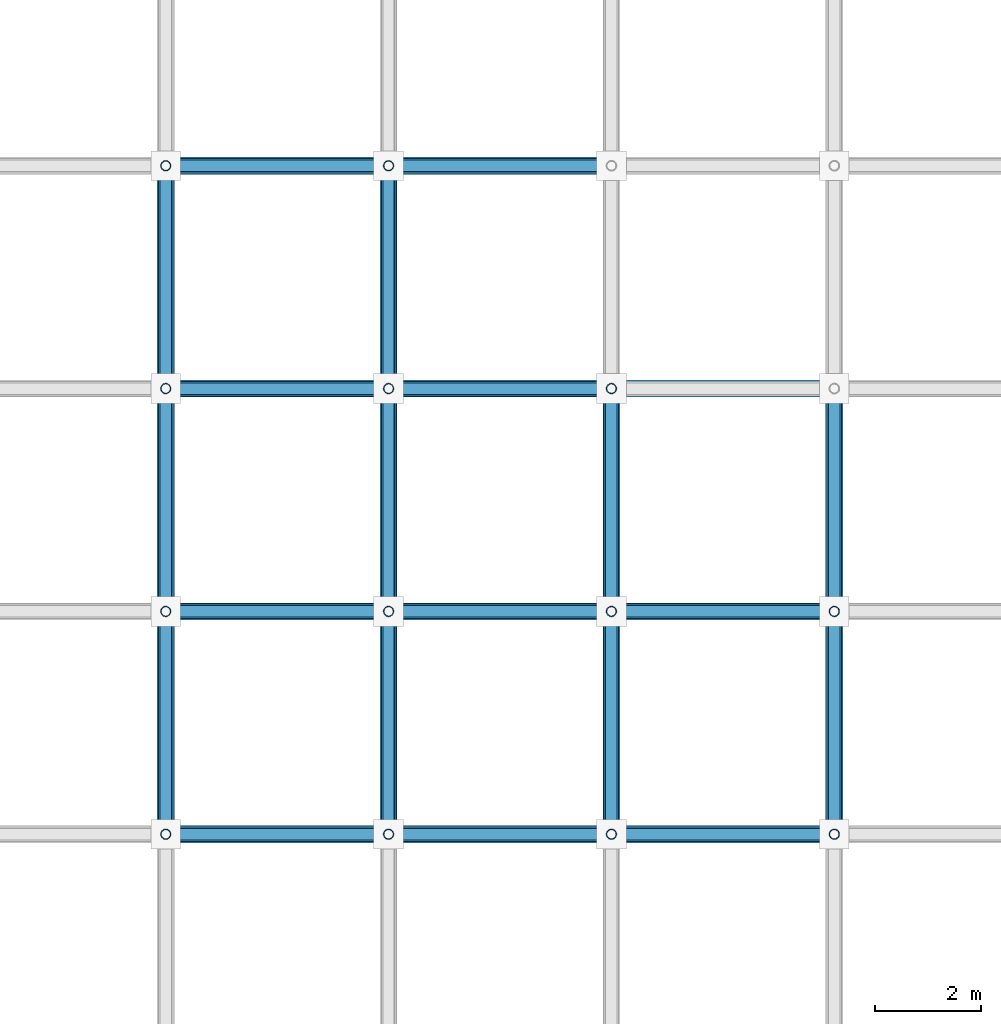
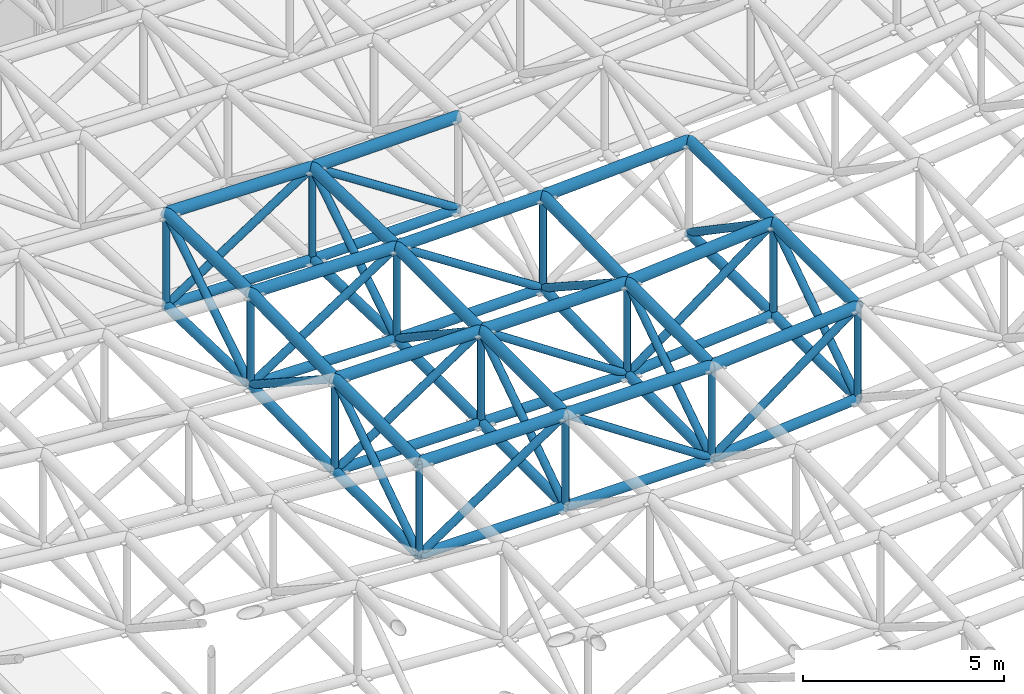
# One storey, part 31 of 93: 74 members.
"""IFC4 building model written with IfcOpenShell, lengths in metres."""

from ifc_helpers import new_model, si_unit, direction, frame, origin, origin_2d, place, context, subcontext, project, spatial, hollow_circle, extrude, material, material_profile, profile_set, type_object, element, save


model = new_model("IFC4")

# Units and contexts
model_context = context("Model", 3, precision=1e-05, world=origin(), true_north=direction((0.0, 1.0)))
body_context = subcontext(model_context, "Body", "Model", "MODEL_VIEW")
ifc_project = project(units=[si_unit("LENGTHUNIT", "METRE"), si_unit("AREAUNIT", "SQUARE_METRE"), si_unit("VOLUMEUNIT", "CUBIC_METRE"), si_unit("PLANEANGLEUNIT", "RADIAN"), si_unit("MASSUNIT", "GRAM", prefix="KILO")], contexts=[model_context])

# Site, building, storey
site_placement = place(None, origin())
site = spatial("IfcSite", under=ifc_project, at=site_placement, CompositionType="ELEMENT")
building_placement = place(site_placement, origin())
building = spatial("IfcBuilding", under=site, at=building_placement, Name="Cumbredor Promenade Congress Hotel", CompositionType="ELEMENT")
storey_placement = place(building_placement, frame((0.0, 0.0, 21.840087890625)))
storey = spatial("IfcBuildingStorey", under=building, at=storey_placement, Name="L06", CompositionType="ELEMENT", Elevation=21.840087890625)

# Members
ifc_material = material(Name="Steel ASTM A500 Grade C", Category="steel")
ifc_material_profile_1 = material_profile(ifc_material, hollow_circle(Radius=0.136474609375, WallThickness=0.01611328125, at=origin_2d()), Name="CHS 273.0x16")
ifc_profile_set_1 = profile_set([ifc_material_profile_1], Name="Steel ASTM A500 Grade C")
member_type_1 = type_object("IfcMemberType", Name="Plenary Roof Space Frame Bottom Chord", PredefinedType="CHORD", material=ifc_profile_set_1)
member_1_placement = place(storey_placement, frame((29.39990234375, 33.60009765625, 7.864501953125), z_axis=(0.999999984796, 0.0, 0.000174378049), x_axis=(0.0, 1.0, 0.0)))
element("IfcMember", 1, at=member_1_placement, inside=storey, type_object=member_type_1, Name="Plenary Congress Hall X Bottom Chord 9.9", PredefinedType="CHORD", context=body_context, shape_type="SweptSolid", body=[
    extrude(hollow_circle(Radius=0.136474609375, WallThickness=0.01611328125, at=origin_2d()), origin(), (0.0, 0.0, 1.0), 4.2001953125),
])
member_2_placement = place(storey_placement, frame((33.60009765625, 33.60009765625, 7.865234375), z_axis=(0.999999984794, 0.0, -0.000174388185), x_axis=(0.0, 1.0, 0.0)))
element("IfcMember", 2, at=member_2_placement, inside=storey, type_object=member_type_1, Name="Plenary Congress Hall X Bottom Chord 10.9", PredefinedType="CHORD", context=body_context, shape_type="SweptSolid", body=[
    extrude(hollow_circle(Radius=0.136474609375, WallThickness=0.01611328125, at=origin_2d()), origin(), (0.0, 0.0, 1.0), 4.199951171875),
])
member_3_placement = place(storey_placement, frame((37.800048828125, 33.60009765625, 7.864501953125), z_axis=(0.99676088426, 0.0, 0.080422258173), x_axis=(0.0, 1.0, 0.0)))
element("IfcMember", 3, at=member_3_placement, inside=storey, type_object=member_type_1, Name="Plenary Congress Hall X Bottom Chord 11.9", PredefinedType="CHORD", context=body_context, shape_type="SweptSolid", body=[
    extrude(hollow_circle(Radius=0.136474609375, WallThickness=0.01611328125, at=origin_2d()), origin(), (0.0, 0.0, 1.0), 4.213623046875),
])
member_4_placement = place(storey_placement, frame((29.39990234375, 37.800048828125, 7.864501953125), z_axis=(0.999999984796, 0.0, 0.000174378049), x_axis=(0.0, 1.0, 0.0)))
element("IfcMember", 4, at=member_4_placement, inside=storey, type_object=member_type_1, Name="Plenary Congress Hall X Bottom Chord 9.10", PredefinedType="CHORD", context=body_context, shape_type="SweptSolid", body=[
    extrude(hollow_circle(Radius=0.136474609375, WallThickness=0.01611328125, at=origin_2d()), origin(), (0.0, 0.0, 1.0), 4.2001953125),
])
member_5_placement = place(storey_placement, frame((33.60009765625, 37.800048828125, 7.865234375), z_axis=(0.999999984794, 0.0, -0.000174388185), x_axis=(0.0, 1.0, 0.0)))
element("IfcMember", 5, at=member_5_placement, inside=storey, type_object=member_type_1, Name="Plenary Congress Hall X Bottom Chord 10.10", PredefinedType="CHORD", context=body_context, shape_type="SweptSolid", body=[
    extrude(hollow_circle(Radius=0.136474609375, WallThickness=0.01611328125, at=origin_2d()), origin(), (0.0, 0.0, 1.0), 4.199951171875),
])
member_6_placement = place(storey_placement, frame((37.800048828125, 37.800048828125, 7.864501953125), z_axis=(0.99676088426, 0.0, 0.080422258173), x_axis=(0.0, 1.0, 0.0)))
element("IfcMember", 6, at=member_6_placement, inside=storey, type_object=member_type_1, Name="Plenary Congress Hall X Bottom Chord 11.10", PredefinedType="CHORD", context=body_context, shape_type="SweptSolid", body=[
    extrude(hollow_circle(Radius=0.136474609375, WallThickness=0.01611328125, at=origin_2d()), origin(), (0.0, 0.0, 1.0), 4.213623046875),
])
member_7_placement = place(storey_placement, frame((29.39990234375, 42.0, 7.934814453125), z_axis=(0.999861849265, 0.0, -0.016621744297), x_axis=(0.0, 1.0, 0.0)))
element("IfcMember", 7, at=member_7_placement, inside=storey, type_object=member_type_1, Name="Plenary Congress Hall X Bottom Chord 9.11", PredefinedType="CHORD", context=body_context, shape_type="SweptSolid", body=[
    extrude(hollow_circle(Radius=0.136474609375, WallThickness=0.01611328125, at=origin_2d()), origin(), (0.0, 0.0, 1.0), 4.20068359375),
])
member_8_placement = place(storey_placement, frame((33.60009765625, 42.0, 7.864990234375), z_axis=(0.999861833207, 0.0, 0.016622710242), x_axis=(0.0, 1.0, 0.0)))
element("IfcMember", 8, at=member_8_placement, inside=storey, type_object=member_type_1, Name="Plenary Congress Hall X Bottom Chord 10.11", PredefinedType="CHORD", context=body_context, shape_type="SweptSolid", body=[
    extrude(hollow_circle(Radius=0.136474609375, WallThickness=0.01611328125, at=origin_2d()), origin(), (0.0, 0.0, 1.0), 4.200439453125),
])
member_9_placement = place(storey_placement, frame((29.39990234375, 46.199951171875, 7.80615234375), z_axis=(0.999843916636, 0.0, -0.017667551189), x_axis=(0.0, 1.0, 0.0)))
element("IfcMember", 9, at=member_9_placement, inside=storey, type_object=member_type_1, Name="Plenary Congress Hall X Bottom Chord 9.12", PredefinedType="CHORD", context=body_context, shape_type="SweptSolid", body=[
    extrude(hollow_circle(Radius=0.136474609375, WallThickness=0.01611328125, at=origin_2d()), origin(), (0.0, 0.0, 1.0), 4.200927734375),
])
member_10_placement = place(storey_placement, frame((33.60009765625, 46.199951171875, 7.73193359375), z_axis=(0.999843898494, 0.0, 0.017668577873), x_axis=(0.0, 1.0, 0.0)))
element("IfcMember", 10, at=member_10_placement, inside=storey, type_object=member_type_1, Name="Plenary Congress Hall X Bottom Chord 10.12", PredefinedType="CHORD", context=body_context, shape_type="SweptSolid", body=[
    extrude(hollow_circle(Radius=0.136474609375, WallThickness=0.01611328125, at=origin_2d()), origin(), (0.0, 0.0, 1.0), 4.20068359375),
])
member_11_placement = place(storey_placement, frame((29.39990234375, 33.60009765625, 7.864501953125), z_axis=(0.0, 1.0, 0.0), x_axis=(-1.0, 0.0, 0.0)))
element("IfcMember", 11, at=member_11_placement, inside=storey, type_object=member_type_1, Name="Plenary Congress Hall Y Bottom Chord 9.9", PredefinedType="CHORD", context=body_context, shape_type="SweptSolid", body=[
    extrude(hollow_circle(Radius=0.136474609375, WallThickness=0.01611328125, at=origin_2d()), origin(), (0.0, 0.0, 1.0), 4.199951171875),
])
member_12_placement = place(storey_placement, frame((29.39990234375, 37.800048828125, 7.864501953125), z_axis=(0.0, 0.999859894455, 0.016738920514), x_axis=(-1.0, 0.0, 0.0)))
element("IfcMember", 12, at=member_12_placement, inside=storey, type_object=member_type_1, Name="Plenary Congress Hall Y Bottom Chord 9.10", PredefinedType="CHORD", context=body_context, shape_type="SweptSolid", body=[
    extrude(hollow_circle(Radius=0.136474609375, WallThickness=0.01611328125, at=origin_2d()), origin(), (0.0, 0.0, 1.0), 4.200439453125),
])
member_13_placement = place(storey_placement, frame((29.39990234375, 42.0, 7.934814453125), z_axis=(0.0, 0.999531103152, -0.030619827435), x_axis=(-1.0, 0.0, 0.0)))
element("IfcMember", 13, at=member_13_placement, inside=storey, type_object=member_type_1, Name="Plenary Congress Hall Y Bottom Chord 9.11", PredefinedType="CHORD", context=body_context, shape_type="SweptSolid", body=[
    extrude(hollow_circle(Radius=0.136474609375, WallThickness=0.01611328125, at=origin_2d()), origin(), (0.0, 0.0, 1.0), 4.201904296875),
])
for number, where, z_axis, x_axis, name in (
    (14, (33.60009765625, 33.60009765625, 7.865234375), (0.0, 1.0, 0.0), (-1.0, 0.0, 0.0), "Plenary Congress Hall Y Bottom Chord 10.9"),
    (15, (33.60009765625, 37.800048828125, 7.865234375), (0.0, 0.99999999831, -5.8129396e-05), (-1.0, 0.0, 0.0), "Plenary Congress Hall Y Bottom Chord 10.10"),
):
    element("IfcMember", number, at=place(storey_placement, frame(where, z_axis=z_axis, x_axis=x_axis)), inside=storey, type_object=member_type_1, Name=name, PredefinedType="CHORD", context=body_context, shape_type="SweptSolid", body=[
        extrude(hollow_circle(Radius=0.136474609375, WallThickness=0.01611328125, at=origin_2d()), origin(), (0.0, 0.0, 1.0), 4.199951171875),
    ])
member_14_placement = place(storey_placement, frame((33.60009765625, 42.0, 7.864990234375), z_axis=(0.0, 0.999498549731, -0.031664634634), x_axis=(-1.0, 0.0, 0.0)))
element("IfcMember", 16, at=member_14_placement, inside=storey, type_object=member_type_1, Name="Plenary Congress Hall Y Bottom Chord 10.11", PredefinedType="CHORD", context=body_context, shape_type="SweptSolid", body=[
    extrude(hollow_circle(Radius=0.136474609375, WallThickness=0.01611328125, at=origin_2d()), origin(), (0.0, 0.0, 1.0), 4.2021484375),
])
member_15_placement = place(storey_placement, frame((37.800048828125, 33.60009765625, 7.864501953125), z_axis=(0.0, 1.0, 0.0), x_axis=(-1.0, 0.0, 0.0)))
element("IfcMember", 17, at=member_15_placement, inside=storey, type_object=member_type_1, Name="Plenary Congress Hall Y Bottom Chord 11.9", PredefinedType="CHORD", context=body_context, shape_type="SweptSolid", body=[
    extrude(hollow_circle(Radius=0.136474609375, WallThickness=0.01611328125, at=origin_2d()), origin(), (0.0, 0.0, 1.0), 4.199951171875),
])
member_16_placement = place(storey_placement, frame((37.800048828125, 37.800048828125, 7.864501953125), z_axis=(0.0, 0.999859894455, 0.016738920514), x_axis=(-1.0, 0.0, 0.0)))
element("IfcMember", 18, at=member_16_placement, inside=storey, type_object=member_type_1, Name="Plenary Congress Hall Y Bottom Chord 11.10", PredefinedType="CHORD", context=body_context, shape_type="SweptSolid", body=[
    extrude(hollow_circle(Radius=0.136474609375, WallThickness=0.01611328125, at=origin_2d()), origin(), (0.0, 0.0, 1.0), 4.200439453125),
])
member_17_placement = place(storey_placement, frame((42.0, 33.60009765625, 8.203369140625), z_axis=(0.0, 1.0, 0.0), x_axis=(-1.0, 0.0, 0.0)))
element("IfcMember", 19, at=member_17_placement, inside=storey, type_object=member_type_1, Name="Plenary Congress Hall Y Bottom Chord 12.9", PredefinedType="CHORD", context=body_context, shape_type="SweptSolid", body=[
    extrude(hollow_circle(Radius=0.136474609375, WallThickness=0.01611328125, at=origin_2d()), origin(), (0.0, 0.0, 1.0), 4.199951171875),
])
member_18_placement = place(storey_placement, frame((42.0, 37.800048828125, 8.203369140625), z_axis=(0.0, 0.999903507276, -0.013891585086), x_axis=(-1.0, 0.0, 0.0)))
element("IfcMember", 20, at=member_18_placement, inside=storey, type_object=member_type_1, Name="Plenary Congress Hall Y Bottom Chord 12.10", PredefinedType="CHORD", context=body_context, shape_type="SweptSolid", body=[
    extrude(hollow_circle(Radius=0.136474609375, WallThickness=0.01611328125, at=origin_2d()), origin(), (0.0, 0.0, 1.0), 4.200439453125),
])
ifc_material_profile_2 = material_profile(ifc_material, hollow_circle(Radius=0.161865234375, WallThickness=0.01611328125, at=origin_2d()), Name="CHS 323.9x16")
ifc_profile_set_2 = profile_set([ifc_material_profile_2], Name="Steel ASTM A500 Grade C")
member_type_2 = type_object("IfcMemberType", Name="Plenary Roof Space Frame Top Chord", PredefinedType="CHORD", material=ifc_profile_set_2)
member_19_placement = place(storey_placement, frame((29.39990234375, 33.60009765625, 10.66455078125), z_axis=(0.999999984796, 0.0, 0.000174378049), x_axis=(0.0, 1.0, 0.0)))
element("IfcMember", 21, at=member_19_placement, inside=storey, type_object=member_type_2, Name="Plenary Congress Hall X Top Chord 9.9", PredefinedType="CHORD", context=body_context, shape_type="SweptSolid", body=[
    extrude(hollow_circle(Radius=0.161865234375, WallThickness=0.01611328125, at=origin_2d()), origin(), (0.0, 0.0, 1.0), 4.2001953125),
])
member_20_placement = place(storey_placement, frame((33.60009765625, 33.60009765625, 10.665283203125), z_axis=(0.999999984794, 0.0, -0.000174388185), x_axis=(0.0, 1.0, 0.0)))
element("IfcMember", 22, at=member_20_placement, inside=storey, type_object=member_type_2, Name="Plenary Congress Hall X Top Chord 10.9", PredefinedType="CHORD", context=body_context, shape_type="SweptSolid", body=[
    extrude(hollow_circle(Radius=0.161865234375, WallThickness=0.01611328125, at=origin_2d()), origin(), (0.0, 0.0, 1.0), 4.199951171875),
])
member_21_placement = place(storey_placement, frame((37.800048828125, 33.60009765625, 10.66455078125), z_axis=(0.99676088426, 0.0, 0.080422258173), x_axis=(0.0, 1.0, 0.0)))
element("IfcMember", 23, at=member_21_placement, inside=storey, type_object=member_type_2, Name="Plenary Congress Hall X Top Chord 11.9", PredefinedType="CHORD", context=body_context, shape_type="SweptSolid", body=[
    extrude(hollow_circle(Radius=0.161865234375, WallThickness=0.01611328125, at=origin_2d()), origin(), (0.0, 0.0, 1.0), 4.213623046875),
])
member_22_placement = place(storey_placement, frame((29.39990234375, 37.800048828125, 10.66455078125), z_axis=(0.999999984796, 0.0, 0.000174378049), x_axis=(0.0, 1.0, 0.0)))
element("IfcMember", 24, at=member_22_placement, inside=storey, type_object=member_type_2, Name="Plenary Congress Hall X Top Chord 9.10", PredefinedType="CHORD", context=body_context, shape_type="SweptSolid", body=[
    extrude(hollow_circle(Radius=0.161865234375, WallThickness=0.01611328125, at=origin_2d()), origin(), (0.0, 0.0, 1.0), 4.2001953125),
])
member_23_placement = place(storey_placement, frame((33.60009765625, 37.800048828125, 10.665283203125), z_axis=(0.999999984794, 0.0, -0.000174388185), x_axis=(0.0, 1.0, 0.0)))
element("IfcMember", 25, at=member_23_placement, inside=storey, type_object=member_type_2, Name="Plenary Congress Hall X Top Chord 10.10", PredefinedType="CHORD", context=body_context, shape_type="SweptSolid", body=[
    extrude(hollow_circle(Radius=0.161865234375, WallThickness=0.01611328125, at=origin_2d()), origin(), (0.0, 0.0, 1.0), 4.199951171875),
])
member_24_placement = place(storey_placement, frame((37.800048828125, 37.800048828125, 10.66455078125), z_axis=(0.99676088426, 0.0, 0.080422258173), x_axis=(0.0, 1.0, 0.0)))
element("IfcMember", 26, at=member_24_placement, inside=storey, type_object=member_type_2, Name="Plenary Congress Hall X Top Chord 11.10", PredefinedType="CHORD", context=body_context, shape_type="SweptSolid", body=[
    extrude(hollow_circle(Radius=0.161865234375, WallThickness=0.01611328125, at=origin_2d()), origin(), (0.0, 0.0, 1.0), 4.213623046875),
])
member_25_placement = place(storey_placement, frame((29.39990234375, 42.0, 10.73486328125), z_axis=(0.999861849265, 0.0, -0.016621744297), x_axis=(0.0, 1.0, 0.0)))
element("IfcMember", 27, at=member_25_placement, inside=storey, type_object=member_type_2, Name="Plenary Congress Hall X Top Chord 9.11", PredefinedType="CHORD", context=body_context, shape_type="SweptSolid", body=[
    extrude(hollow_circle(Radius=0.161865234375, WallThickness=0.01611328125, at=origin_2d()), origin(), (0.0, 0.0, 1.0), 4.20068359375),
])
member_26_placement = place(storey_placement, frame((33.60009765625, 42.0, 10.6650390625), z_axis=(0.999861833207, 0.0, 0.016622710242), x_axis=(0.0, 1.0, 0.0)))
element("IfcMember", 28, at=member_26_placement, inside=storey, type_object=member_type_2, Name="Plenary Congress Hall X Top Chord 10.11", PredefinedType="CHORD", context=body_context, shape_type="SweptSolid", body=[
    extrude(hollow_circle(Radius=0.161865234375, WallThickness=0.01611328125, at=origin_2d()), origin(), (0.0, 0.0, 1.0), 4.200439453125),
])
member_27_placement = place(storey_placement, frame((37.800048828125, 42.0, 10.73486328125), z_axis=(0.998749876407, 0.0, 0.049986842038), x_axis=(0.0, 1.0, 0.0)))
element("IfcMember", 29, at=member_27_placement, inside=storey, type_object=member_type_2, Name="Plenary Congress Hall X Top Chord 11.11", PredefinedType="CHORD", context=body_context, shape_type="SweptSolid", body=[
    extrude(hollow_circle(Radius=0.161865234375, WallThickness=0.01611328125, at=origin_2d()), origin(), (0.0, 0.0, 1.0), 4.205322265625),
])
member_28_placement = place(storey_placement, frame((29.39990234375, 46.199951171875, 10.606201171875), z_axis=(0.999843916636, 0.0, -0.017667551189), x_axis=(0.0, 1.0, 0.0)))
element("IfcMember", 30, at=member_28_placement, inside=storey, type_object=member_type_2, Name="Plenary Congress Hall X Top Chord 9.12", PredefinedType="CHORD", context=body_context, shape_type="SweptSolid", body=[
    extrude(hollow_circle(Radius=0.161865234375, WallThickness=0.01611328125, at=origin_2d()), origin(), (0.0, 0.0, 1.0), 4.200927734375),
])
member_29_placement = place(storey_placement, frame((33.60009765625, 46.199951171875, 10.531982421875), z_axis=(0.999843898494, 0.0, 0.017668577873), x_axis=(0.0, 1.0, 0.0)))
element("IfcMember", 31, at=member_29_placement, inside=storey, type_object=member_type_2, Name="Plenary Congress Hall X Top Chord 10.12", PredefinedType="CHORD", context=body_context, shape_type="SweptSolid", body=[
    extrude(hollow_circle(Radius=0.161865234375, WallThickness=0.01611328125, at=origin_2d()), origin(), (0.0, 0.0, 1.0), 4.20068359375),
])
member_30_placement = place(storey_placement, frame((29.39990234375, 33.60009765625, 10.66455078125), z_axis=(0.0, 1.0, 0.0), x_axis=(-1.0, 0.0, 0.0)))
element("IfcMember", 32, at=member_30_placement, inside=storey, type_object=member_type_2, Name="Plenary Congress Hall Y Top Chord 9.9", PredefinedType="CHORD", context=body_context, shape_type="SweptSolid", body=[
    extrude(hollow_circle(Radius=0.161865234375, WallThickness=0.01611328125, at=origin_2d()), origin(), (0.0, 0.0, 1.0), 4.199951171875),
])
member_31_placement = place(storey_placement, frame((29.39990234375, 37.800048828125, 10.66455078125), z_axis=(0.0, 0.999859894455, 0.016738920514), x_axis=(-1.0, 0.0, 0.0)))
element("IfcMember", 33, at=member_31_placement, inside=storey, type_object=member_type_2, Name="Plenary Congress Hall Y Top Chord 9.10", PredefinedType="CHORD", context=body_context, shape_type="SweptSolid", body=[
    extrude(hollow_circle(Radius=0.161865234375, WallThickness=0.01611328125, at=origin_2d()), origin(), (0.0, 0.0, 1.0), 4.200439453125),
])
member_32_placement = place(storey_placement, frame((29.39990234375, 42.0, 10.73486328125), z_axis=(0.0, 0.999531103152, -0.030619827435), x_axis=(-1.0, 0.0, 0.0)))
element("IfcMember", 34, at=member_32_placement, inside=storey, type_object=member_type_2, Name="Plenary Congress Hall Y Top Chord 9.11", PredefinedType="CHORD", context=body_context, shape_type="SweptSolid", body=[
    extrude(hollow_circle(Radius=0.161865234375, WallThickness=0.01611328125, at=origin_2d()), origin(), (0.0, 0.0, 1.0), 4.201904296875),
])
for number, where, z_axis, x_axis, name in (
    (35, (33.60009765625, 33.60009765625, 10.665283203125), (0.0, 1.0, 0.0), (-1.0, 0.0, 0.0), "Plenary Congress Hall Y Top Chord 10.9"),
    (36, (33.60009765625, 37.800048828125, 10.665283203125), (0.0, 0.99999999831, -5.8129396e-05), (-1.0, 0.0, 0.0), "Plenary Congress Hall Y Top Chord 10.10"),
):
    element("IfcMember", number, at=place(storey_placement, frame(where, z_axis=z_axis, x_axis=x_axis)), inside=storey, type_object=member_type_2, Name=name, PredefinedType="CHORD", context=body_context, shape_type="SweptSolid", body=[
        extrude(hollow_circle(Radius=0.161865234375, WallThickness=0.01611328125, at=origin_2d()), origin(), (0.0, 0.0, 1.0), 4.199951171875),
    ])
member_33_placement = place(storey_placement, frame((33.60009765625, 42.0, 10.6650390625), z_axis=(0.0, 0.999498549731, -0.031664634634), x_axis=(-1.0, 0.0, 0.0)))
element("IfcMember", 37, at=member_33_placement, inside=storey, type_object=member_type_2, Name="Plenary Congress Hall Y Top Chord 10.11", PredefinedType="CHORD", context=body_context, shape_type="SweptSolid", body=[
    extrude(hollow_circle(Radius=0.161865234375, WallThickness=0.01611328125, at=origin_2d()), origin(), (0.0, 0.0, 1.0), 4.2021484375),
])
member_34_placement = place(storey_placement, frame((37.800048828125, 33.60009765625, 10.66455078125), z_axis=(0.0, 1.0, 0.0), x_axis=(-1.0, 0.0, 0.0)))
element("IfcMember", 38, at=member_34_placement, inside=storey, type_object=member_type_2, Name="Plenary Congress Hall Y Top Chord 11.9", PredefinedType="CHORD", context=body_context, shape_type="SweptSolid", body=[
    extrude(hollow_circle(Radius=0.161865234375, WallThickness=0.01611328125, at=origin_2d()), origin(), (0.0, 0.0, 1.0), 4.199951171875),
])
member_35_placement = place(storey_placement, frame((37.800048828125, 37.800048828125, 10.66455078125), z_axis=(0.0, 0.999859894455, 0.016738920514), x_axis=(-1.0, 0.0, 0.0)))
element("IfcMember", 39, at=member_35_placement, inside=storey, type_object=member_type_2, Name="Plenary Congress Hall Y Top Chord 11.10", PredefinedType="CHORD", context=body_context, shape_type="SweptSolid", body=[
    extrude(hollow_circle(Radius=0.161865234375, WallThickness=0.01611328125, at=origin_2d()), origin(), (0.0, 0.0, 1.0), 4.200439453125),
])
member_36_placement = place(storey_placement, frame((42.0, 33.60009765625, 11.00341796875), z_axis=(0.0, 1.0, 0.0), x_axis=(-1.0, 0.0, 0.0)))
element("IfcMember", 40, at=member_36_placement, inside=storey, type_object=member_type_2, Name="Plenary Congress Hall Y Top Chord 12.9", PredefinedType="CHORD", context=body_context, shape_type="SweptSolid", body=[
    extrude(hollow_circle(Radius=0.161865234375, WallThickness=0.01611328125, at=origin_2d()), origin(), (0.0, 0.0, 1.0), 4.199951171875),
])
member_37_placement = place(storey_placement, frame((42.0, 37.800048828125, 11.00341796875), z_axis=(0.0, 0.999903507276, -0.013891585086), x_axis=(-1.0, 0.0, 0.0)))
element("IfcMember", 41, at=member_37_placement, inside=storey, type_object=member_type_2, Name="Plenary Congress Hall Y Top Chord 12.10", PredefinedType="CHORD", context=body_context, shape_type="SweptSolid", body=[
    extrude(hollow_circle(Radius=0.161865234375, WallThickness=0.01611328125, at=origin_2d()), origin(), (0.0, 0.0, 1.0), 4.200439453125),
])
ifc_material_profile_3 = material_profile(ifc_material, hollow_circle(Radius=0.109619140625, WallThickness=0.012451171875, at=origin_2d()), Name="CHS 219.1x12.5")
ifc_profile_set_3 = profile_set([ifc_material_profile_3], Name="Steel ASTM A500 Grade C")
member_type_3 = type_object("IfcMemberType", Name="Space Frame Web Diagonal D1", PredefinedType="BRACE", material=ifc_profile_set_3)
member_38_placement = place(storey_placement, frame((29.39990234375, 33.60009765625, 7.864501953125), z_axis=(0.831990769167, 0.0, 0.554789473604), x_axis=(0.0, 1.0, 0.0)))
element("IfcMember", 42, at=member_38_placement, inside=storey, type_object=member_type_3, Name="Plenary Congress Hall X Web Diagonal 9.9", PredefinedType="BRACE", context=body_context, shape_type="SweptSolid", body=[
    extrude(hollow_circle(Radius=0.109619140625, WallThickness=0.012451171875, at=origin_2d()), origin(), (0.0, 0.0, 1.0), 5.04833984375),
])
member_39_placement = place(storey_placement, frame((33.60009765625, 33.60009765625, 10.665283203125), z_axis=(0.831975883383, 0.0, -0.554811796441), x_axis=(0.0, 1.0, 0.0)))
element("IfcMember", 43, at=member_39_placement, inside=storey, type_object=member_type_3, Name="Plenary Congress Hall X Web Diagonal 10.9", PredefinedType="BRACE", context=body_context, shape_type="SweptSolid", body=[
    extrude(hollow_circle(Radius=0.109619140625, WallThickness=0.012451171875, at=origin_2d()), origin(), (0.0, 0.0, 1.0), 5.048095703125),
])
member_40_placement = place(storey_placement, frame((37.800048828125, 33.60009765625, 7.864501953125), z_axis=(0.801010195392, 0.0, 0.598650705235), x_axis=(0.0, 1.0, 0.0)))
element("IfcMember", 44, at=member_40_placement, inside=storey, type_object=member_type_3, Name="Plenary Congress Hall X Web Diagonal 11.9", PredefinedType="BRACE", context=body_context, shape_type="SweptSolid", body=[
    extrude(hollow_circle(Radius=0.109619140625, WallThickness=0.012451171875, at=origin_2d()), origin(), (0.0, 0.0, 1.0), 5.243408203125),
])
member_41_placement = place(storey_placement, frame((29.39990234375, 37.800048828125, 7.864501953125), z_axis=(0.831990769167, 0.0, 0.554789473604), x_axis=(0.0, 1.0, 0.0)))
element("IfcMember", 45, at=member_41_placement, inside=storey, type_object=member_type_3, Name="Plenary Congress Hall X Web Diagonal 9.10", PredefinedType="BRACE", context=body_context, shape_type="SweptSolid", body=[
    extrude(hollow_circle(Radius=0.109619140625, WallThickness=0.012451171875, at=origin_2d()), origin(), (0.0, 0.0, 1.0), 5.04833984375),
])
member_42_placement = place(storey_placement, frame((33.60009765625, 37.800048828125, 10.665283203125), z_axis=(0.831975883383, 0.0, -0.554811796441), x_axis=(0.0, 1.0, 0.0)))
element("IfcMember", 46, at=member_42_placement, inside=storey, type_object=member_type_3, Name="Plenary Congress Hall X Web Diagonal 10.10", PredefinedType="BRACE", context=body_context, shape_type="SweptSolid", body=[
    extrude(hollow_circle(Radius=0.109619140625, WallThickness=0.012451171875, at=origin_2d()), origin(), (0.0, 0.0, 1.0), 5.048095703125),
])
member_43_placement = place(storey_placement, frame((37.800048828125, 37.800048828125, 7.864501953125), z_axis=(0.801010195392, 0.0, 0.598650705235), x_axis=(0.0, 1.0, 0.0)))
element("IfcMember", 47, at=member_43_placement, inside=storey, type_object=member_type_3, Name="Plenary Congress Hall X Web Diagonal 11.10", PredefinedType="BRACE", context=body_context, shape_type="SweptSolid", body=[
    extrude(hollow_circle(Radius=0.109619140625, WallThickness=0.012451171875, at=origin_2d()), origin(), (0.0, 0.0, 1.0), 5.243408203125),
])
member_44_placement = place(storey_placement, frame((29.39990234375, 42.0, 7.934814453125), z_axis=(0.838434708585, 0.0, 0.545002054528), x_axis=(0.0, 1.0, 0.0)))
element("IfcMember", 48, at=member_44_placement, inside=storey, type_object=member_type_3, Name="Plenary Congress Hall X Web Diagonal 9.11", PredefinedType="BRACE", context=body_context, shape_type="SweptSolid", body=[
    extrude(hollow_circle(Radius=0.109619140625, WallThickness=0.012451171875, at=origin_2d()), origin(), (0.0, 0.0, 1.0), 5.009521484375),
])
member_45_placement = place(storey_placement, frame((33.60009765625, 42.0, 10.6650390625), z_axis=(0.838420232114, 0.0, -0.545024324579), x_axis=(0.0, 1.0, 0.0)))
element("IfcMember", 49, at=member_45_placement, inside=storey, type_object=member_type_3, Name="Plenary Congress Hall X Web Diagonal 10.11", PredefinedType="BRACE", context=body_context, shape_type="SweptSolid", body=[
    extrude(hollow_circle(Radius=0.109619140625, WallThickness=0.012451171875, at=origin_2d()), origin(), (0.0, 0.0, 1.0), 5.00927734375),
])
for number, where, z_axis, x_axis, name in (
    (50, (29.39990234375, 46.199951171875, 7.80615234375), (0.838835521202, 0.0, 0.544384945025), (0.0, 1.0, 0.0), "Plenary Congress Hall X Web Diagonal 9.12"),
    (51, (33.60009765625, 46.199951171875, 10.531982421875), (0.83882107059, 0.0, -0.544407211134), (0.0, 1.0, 0.0), "Plenary Congress Hall X Web Diagonal 10.12"),
):
    element("IfcMember", number, at=place(storey_placement, frame(where, z_axis=z_axis, x_axis=x_axis)), inside=storey, type_object=member_type_3, Name=name, PredefinedType="BRACE", context=body_context, shape_type="SweptSolid", body=[
        extrude(hollow_circle(Radius=0.109619140625, WallThickness=0.012451171875, at=origin_2d()), origin(), (0.0, 0.0, 1.0), 5.007080078125),
    ])
member_46_placement = place(storey_placement, frame((29.39990234375, 33.60009765625, 7.864501953125), z_axis=(0.0, 0.832042853317, 0.554711357594), x_axis=(-1.0, 0.0, 0.0)))
element("IfcMember", 52, at=member_46_placement, inside=storey, type_object=member_type_3, Name="Plenary Congress Hall Y Web Diagonal 9.9", PredefinedType="BRACE", context=body_context, shape_type="SweptSolid", body=[
    extrude(hollow_circle(Radius=0.109619140625, WallThickness=0.012451171875, at=origin_2d()), origin(), (0.0, 0.0, 1.0), 5.0478515625),
])
member_47_placement = place(storey_placement, frame((29.39990234375, 37.800048828125, 10.66455078125), z_axis=(0.0, 0.838464773216, -0.544955800112), x_axis=(-1.0, 0.0, 0.0)))
element("IfcMember", 53, at=member_47_placement, inside=storey, type_object=member_type_3, Name="Plenary Congress Hall Y Web Diagonal 9.10", PredefinedType="BRACE", context=body_context, shape_type="SweptSolid", body=[
    extrude(hollow_circle(Radius=0.109619140625, WallThickness=0.012451171875, at=origin_2d()), origin(), (0.0, 0.0, 1.0), 5.009033203125),
])
member_48_placement = place(storey_placement, frame((29.39990234375, 42.0, 7.934814453125), z_axis=(0.0, 0.843780625853, 0.536688229268), x_axis=(-1.0, 0.0, 0.0)))
element("IfcMember", 54, at=member_48_placement, inside=storey, type_object=member_type_3, Name="Plenary Congress Hall Y Web Diagonal 9.11", PredefinedType="BRACE", context=body_context, shape_type="SweptSolid", body=[
    extrude(hollow_circle(Radius=0.109619140625, WallThickness=0.012451171875, at=origin_2d()), origin(), (0.0, 0.0, 1.0), 4.9775390625),
])
for number, where, z_axis, x_axis, name in (
    (55, (33.60009765625, 33.60009765625, 7.865234375), (0.0, 0.832042853317, 0.554711357594), (-1.0, 0.0, 0.0), "Plenary Congress Hall Y Web Diagonal 10.9"),
    (56, (33.60009765625, 37.800048828125, 10.665283203125), (0.0, 0.832020530155, -0.554744839905), (-1.0, 0.0, 0.0), "Plenary Congress Hall Y Web Diagonal 10.10"),
):
    element("IfcMember", number, at=place(storey_placement, frame(where, z_axis=z_axis, x_axis=x_axis)), inside=storey, type_object=member_type_3, Name=name, PredefinedType="BRACE", context=body_context, shape_type="SweptSolid", body=[
        extrude(hollow_circle(Radius=0.109619140625, WallThickness=0.012451171875, at=origin_2d()), origin(), (0.0, 0.0, 1.0), 5.0478515625),
    ])
member_49_placement = place(storey_placement, frame((33.60009765625, 42.0, 7.864990234375), z_axis=(0.0, 0.844180387084, 0.536059207609), x_axis=(-1.0, 0.0, 0.0)))
element("IfcMember", 57, at=member_49_placement, inside=storey, type_object=member_type_3, Name="Plenary Congress Hall Y Web Diagonal 10.11", PredefinedType="BRACE", context=body_context, shape_type="SweptSolid", body=[
    extrude(hollow_circle(Radius=0.109619140625, WallThickness=0.012451171875, at=origin_2d()), origin(), (0.0, 0.0, 1.0), 4.97509765625),
])
member_50_placement = place(storey_placement, frame((37.800048828125, 33.60009765625, 7.864501953125), z_axis=(0.0, 0.832042853317, 0.554711357594), x_axis=(-1.0, 0.0, 0.0)))
element("IfcMember", 58, at=member_50_placement, inside=storey, type_object=member_type_3, Name="Plenary Congress Hall Y Web Diagonal 11.9", PredefinedType="BRACE", context=body_context, shape_type="SweptSolid", body=[
    extrude(hollow_circle(Radius=0.109619140625, WallThickness=0.012451171875, at=origin_2d()), origin(), (0.0, 0.0, 1.0), 5.0478515625),
])
member_51_placement = place(storey_placement, frame((37.800048828125, 37.800048828125, 10.66455078125), z_axis=(0.0, 0.838464773216, -0.544955800112), x_axis=(-1.0, 0.0, 0.0)))
element("IfcMember", 59, at=member_51_placement, inside=storey, type_object=member_type_3, Name="Plenary Congress Hall Y Web Diagonal 11.10", PredefinedType="BRACE", context=body_context, shape_type="SweptSolid", body=[
    extrude(hollow_circle(Radius=0.109619140625, WallThickness=0.012451171875, at=origin_2d()), origin(), (0.0, 0.0, 1.0), 5.009033203125),
])
member_52_placement = place(storey_placement, frame((42.0, 33.60009765625, 8.203369140625), z_axis=(0.0, 0.832042853317, 0.554711357594), x_axis=(-1.0, 0.0, 0.0)))
element("IfcMember", 60, at=member_52_placement, inside=storey, type_object=member_type_3, Name="Plenary Congress Hall Y Web Diagonal 12.9", PredefinedType="BRACE", context=body_context, shape_type="SweptSolid", body=[
    extrude(hollow_circle(Radius=0.109619140625, WallThickness=0.012451171875, at=origin_2d()), origin(), (0.0, 0.0, 1.0), 5.0478515625),
])
member_53_placement = place(storey_placement, frame((42.0, 37.800048828125, 11.00341796875), z_axis=(0.0, 0.826703876917, -0.562637272042), x_axis=(-1.0, 0.0, 0.0)))
element("IfcMember", 61, at=member_53_placement, inside=storey, type_object=member_type_3, Name="Plenary Congress Hall Y Web Diagonal 12.10", PredefinedType="BRACE", context=body_context, shape_type="SweptSolid", body=[
    extrude(hollow_circle(Radius=0.109619140625, WallThickness=0.012451171875, at=origin_2d()), origin(), (0.0, 0.0, 1.0), 5.080322265625),
])
ifc_material_profile_4 = material_profile(ifc_material, hollow_circle(Radius=0.096923828125, WallThickness=0.010009765625, at=origin_2d()), Name="CHS 193.7x10")
ifc_profile_set_4 = profile_set([ifc_material_profile_4], Name="Steel ASTM A500 Grade C")
member_type_4 = type_object("IfcMemberType", Name="Space Frame Web Post P1", PredefinedType="BRACE", material=ifc_profile_set_4)
for number, where, z_axis, x_axis, name in (
    (62, (29.39990234375, 33.60009765625, 7.864501953125), (0.0, 0.0, 1.0), (1.0, 0.0, 0.0), "Plenary Congress Hall Space Frame Web Post 9.9"),
    (63, (29.39990234375, 37.800048828125, 7.864501953125), (0.0, 0.0, 1.0), (1.0, 0.0, 0.0), "Plenary Congress Hall Space Frame Web Post 9.10"),
    (64, (29.39990234375, 42.0, 7.934814453125), (0.0, 0.0, 1.0), (1.0, 0.0, 0.0), "Plenary Congress Hall Space Frame Web Post 9.11"),
    (65, (29.39990234375, 46.199951171875, 7.80615234375), (0.0, 0.0, 1.0), (1.0, 0.0, 0.0), "Plenary Congress Hall Space Frame Web Post 9.12"),
    (66, (33.60009765625, 33.60009765625, 7.865234375), (0.0, 0.0, 1.0), (1.0, 0.0, 0.0), "Plenary Congress Hall Space Frame Web Post 10.9"),
    (67, (33.60009765625, 37.800048828125, 7.865234375), (0.0, 0.0, 1.0), (1.0, 0.0, 0.0), "Plenary Congress Hall Space Frame Web Post 10.10"),
    (68, (33.60009765625, 42.0, 7.864990234375), (0.0, 0.0, 1.0), (1.0, 0.0, 0.0), "Plenary Congress Hall Space Frame Web Post 10.11"),
    (69, (33.60009765625, 46.199951171875, 7.73193359375), (0.0, 0.0, 1.0), (1.0, 0.0, 0.0), "Plenary Congress Hall Space Frame Web Post 10.12"),
    (70, (37.800048828125, 33.60009765625, 7.864501953125), (0.0, 0.0, 1.0), (1.0, 0.0, 0.0), "Plenary Congress Hall Space Frame Web Post 11.9"),
    (71, (37.800048828125, 37.800048828125, 7.864501953125), (0.0, 0.0, 1.0), (1.0, 0.0, 0.0), "Plenary Congress Hall Space Frame Web Post 11.10"),
    (72, (37.800048828125, 42.0, 7.934814453125), (0.0, 0.0, 1.0), (1.0, 0.0, 0.0), "Plenary Congress Hall Space Frame Web Post 11.11"),
    (73, (42.0, 33.60009765625, 8.203369140625), (0.0, 0.0, 1.0), (1.0, 0.0, 0.0), "Plenary Congress Hall Space Frame Web Post 12.9"),
    (74, (42.0, 37.800048828125, 8.203369140625), (0.0, 0.0, 1.0), (1.0, 0.0, 0.0), "Plenary Congress Hall Space Frame Web Post 12.10"),
):
    element("IfcMember", number, at=place(storey_placement, frame(where, z_axis=z_axis, x_axis=x_axis)), inside=storey, type_object=member_type_4, Name=name, PredefinedType="BRACE", context=body_context, shape_type="SweptSolid", body=[
        extrude(hollow_circle(Radius=0.096923828125, WallThickness=0.010009765625, at=origin_2d()), origin(), (0.0, 0.0, 1.0), 2.800048828125),
    ])

save(model, "model.ifc")
